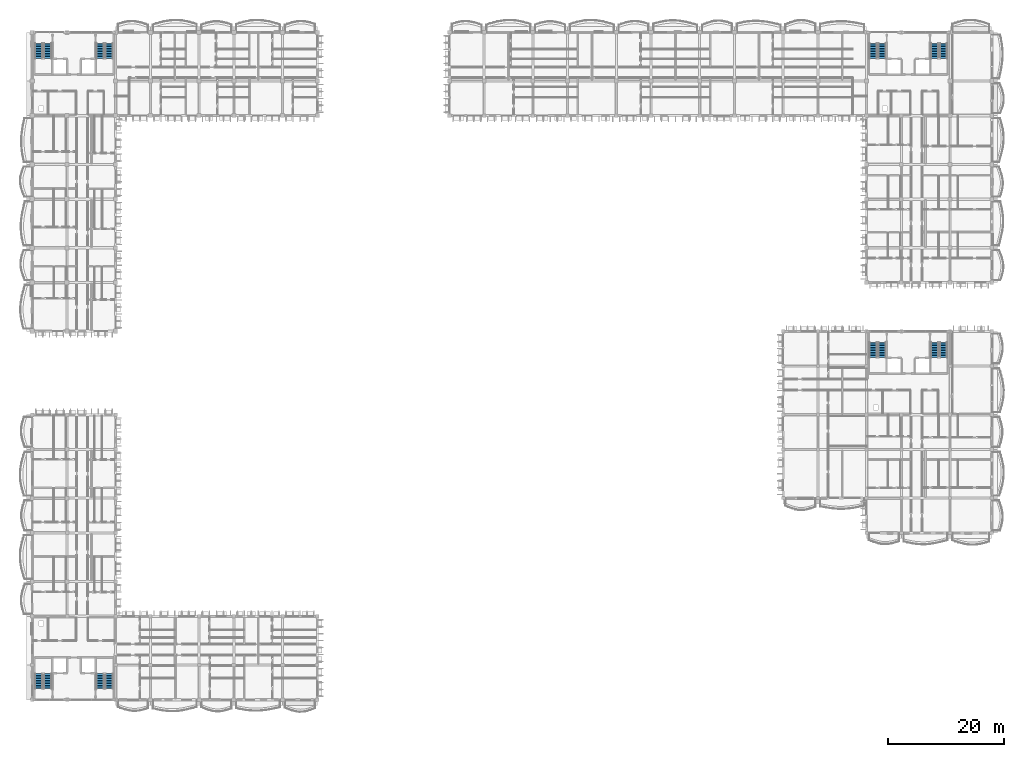
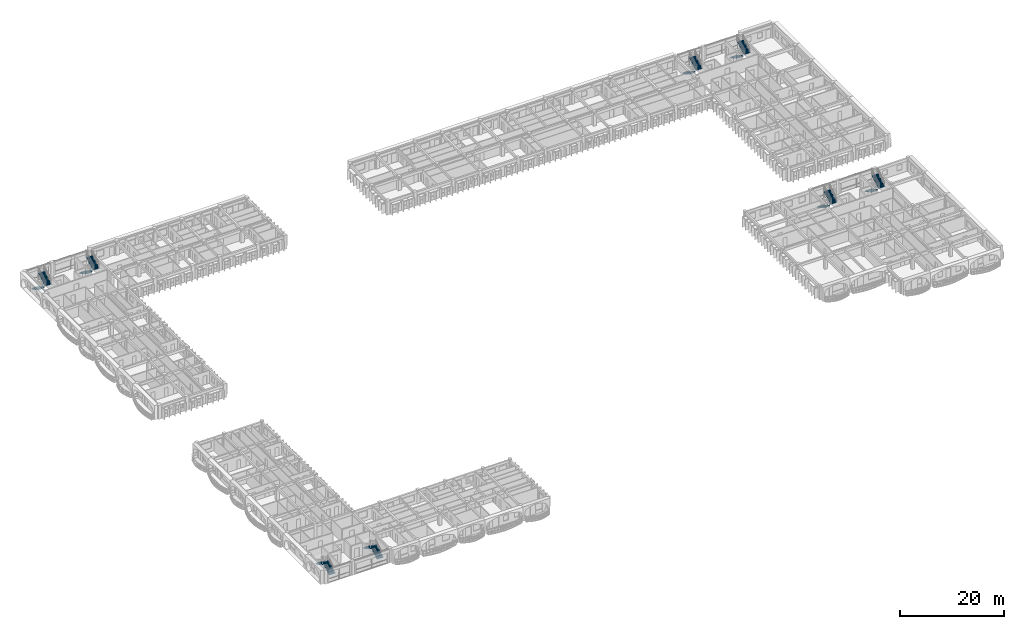
# One storey, part 40 of 70: 16 stair flights, 8 elements without a shape of their own.
"""IFC4 building model written with IfcOpenShell, lengths in metres."""

from ifc_helpers import new_model, si_unit, direction, frame, origin, place, context, subcontext, project, spatial, polyline, outline, extrude, material, type_object, element, aggregate, save


model = new_model("IFC4")

# Units and contexts
model_context = context("Model", 3, precision=1e-05, world=origin(), true_north=direction((0.0, 1.0)))
body_context = subcontext(model_context, "Body", "Model", "MODEL_VIEW")
ifc_project = project(units=[si_unit("LENGTHUNIT", "METRE"), si_unit("AREAUNIT", "SQUARE_METRE"), si_unit("VOLUMEUNIT", "CUBIC_METRE"), si_unit("PLANEANGLEUNIT", "RADIAN"), si_unit("MASSUNIT", "GRAM", prefix="KILO"), si_unit("THERMODYNAMICTEMPERATUREUNIT", "KELVIN")], contexts=[model_context])

# Site, building, storey
site_placement = place(None, origin())
site = spatial("IfcSite", under=ifc_project, at=site_placement, CompositionType="ELEMENT")
building_placement = place(site_placement, origin())
building = spatial("IfcBuilding", under=site, at=building_placement, Name="Thalorik Housing Commons", CompositionType="ELEMENT")
storey_placement = place(building_placement, frame((0.0, 0.0, 14.699951171875)))
storey = spatial("IfcBuildingStorey", under=building, at=storey_placement, Name="L04", CompositionType="ELEMENT", Elevation=14.699951171875)

# Stair, stair flights
ifc_material = material(Name="Precast concrete C40/50", Category="concrete")
stair_type = type_object("IfcStairType", Name="ARC-STR-1350-R20", PredefinedType="HALF_TURN_STAIR", material=ifc_material)
stair_1_placement = place(storey_placement, origin())
stair_1 = element("IfcStair", 1, at=stair_1_placement, inside=storey, type_object=stair_type, Name="L04 Block A Smoke-Proof Stair 1", PredefinedType="HALF_TURN_STAIR")
stair_flight_type = type_object("IfcStairFlightType", Name="ARC-SFLT-1350-R10", PredefinedType="STRAIGHT", material=ifc_material)
stair_flight_1_placement = place(storey_placement, frame((9.52490234375, 121.699951171875, 0.0), z_axis=(0.0, 0.0, 1.0), x_axis=(0.0, -1.0, 0.0)))
stair_flight_1 = element("IfcStairFlight", 2, at=stair_flight_1_placement, type_object=stair_flight_type, Name="ST-A1 flight 1", NumberOfRisers=10, NumberOfTreads=9, PredefinedType="STRAIGHT", RiserHeight=0.165, TreadLength=0.29, context=body_context, shape_type="SweptSolid", body=[
    extrude(outline(polyline([(0.0, 0.0), (0.0, 0.1650390625), (0.2900390625, 0.1650390625), (0.2900390625, 0.330078125), (0.580078125, 0.330078125), (0.580078125, 0.4951171875), (0.8701171875, 0.4951171875), (0.8701171875, 0.659912109375), (1.159912109375, 0.659912109375), (1.159912109375, 0.824951171875), (1.449951171875, 0.824951171875), (1.449951171875, 0.989990234375), (1.739990234375, 0.989990234375), (1.739990234375, 1.155029296875), (2.030029296875, 1.155029296875), (2.030029296875, 1.320068359375), (2.320068359375, 1.320068359375), (2.320068359375, 1.485107421875), (2.610107421875, 1.485107421875), (2.610107421875, 1.64990234375), (2.610107421875, 1.301025390625), (0.323486328125, 0.0), (0.0, 0.0)])), frame((0.0, 0.675048828125, 0.0), z_axis=(0.0, -1.0, 0.0), x_axis=(1.0, 0.0, 0.0)), (0.0, 0.0, 1.0), 1.35009765625),
])
stair_flight_2_placement = place(storey_placement, frame((11.074951171875, 119.090087890625, 1.650146484375), z_axis=(0.0, 0.0, 1.0), x_axis=(0.0, 1.0, 0.0)))
stair_flight_2 = element("IfcStairFlight", 3, at=stair_flight_2_placement, type_object=stair_flight_type, Name="ST-A1 flight 2", NumberOfRisers=10, NumberOfTreads=9, PredefinedType="STRAIGHT", RiserHeight=0.165, TreadLength=0.29, context=body_context, shape_type="SweptSolid", body=[
    extrude(outline(polyline([(0.0, 0.0), (0.0, 0.1650390625), (0.2900390625, 0.1650390625), (0.2900390625, 0.330078125), (0.580078125, 0.330078125), (0.580078125, 0.4951171875), (0.8701171875, 0.4951171875), (0.8701171875, 0.659912109375), (1.159912109375, 0.659912109375), (1.159912109375, 0.824951171875), (1.449951171875, 0.824951171875), (1.449951171875, 0.989990234375), (1.739990234375, 0.989990234375), (1.739990234375, 1.155029296875), (2.030029296875, 1.155029296875), (2.030029296875, 1.320068359375), (2.320068359375, 1.320068359375), (2.320068359375, 1.485107421875), (2.610107421875, 1.485107421875), (2.610107421875, 1.64990234375), (2.610107421875, 1.301025390625), (0.323486328125, 0.0), (0.0, 0.0)])), frame((0.0, 0.675048828125, 0.0), z_axis=(0.0, -1.0, 0.0), x_axis=(1.0, 0.0, 0.0)), (0.0, 0.0, 1.0), 1.35009765625),
])
aggregate(stair_1, [stair_flight_1, stair_flight_2])

stair_2_placement = place(storey_placement, origin())
stair_2 = element("IfcStair", 4, at=stair_2_placement, inside=storey, type_object=stair_type, Name="L04 Block A Smoke-Proof Stair 2", PredefinedType="HALF_TURN_STAIR")
stair_flight_3_placement = place(storey_placement, frame((20.125, 121.699951171875, 0.0), z_axis=(0.0, 0.0, 1.0), x_axis=(0.0, -1.0, 0.0)))
stair_flight_3 = element("IfcStairFlight", 5, at=stair_flight_3_placement, type_object=stair_flight_type, Name="ST-A2 flight 1", NumberOfRisers=10, NumberOfTreads=9, PredefinedType="STRAIGHT", RiserHeight=0.165, TreadLength=0.29, context=body_context, shape_type="SweptSolid", body=[
    extrude(outline(polyline([(0.0, 0.0), (0.0, 0.1650390625), (0.2900390625, 0.1650390625), (0.2900390625, 0.330078125), (0.580078125, 0.330078125), (0.580078125, 0.4951171875), (0.8701171875, 0.4951171875), (0.8701171875, 0.659912109375), (1.159912109375, 0.659912109375), (1.159912109375, 0.824951171875), (1.449951171875, 0.824951171875), (1.449951171875, 0.989990234375), (1.739990234375, 0.989990234375), (1.739990234375, 1.155029296875), (2.030029296875, 1.155029296875), (2.030029296875, 1.320068359375), (2.320068359375, 1.320068359375), (2.320068359375, 1.485107421875), (2.610107421875, 1.485107421875), (2.610107421875, 1.64990234375), (2.610107421875, 1.301025390625), (0.323486328125, 0.0), (0.0, 0.0)])), frame((0.0, 0.675048828125, 0.0), z_axis=(0.0, -1.0, 0.0), x_axis=(1.0, 0.0, 0.0)), (0.0, 0.0, 1.0), 1.35009765625),
])
stair_flight_4_placement = place(storey_placement, frame((21.675048828125, 119.090087890625, 1.650146484375), z_axis=(0.0, 0.0, 1.0), x_axis=(0.0, 1.0, 0.0)))
stair_flight_4 = element("IfcStairFlight", 6, at=stair_flight_4_placement, type_object=stair_flight_type, Name="ST-A2 flight 2", NumberOfRisers=10, NumberOfTreads=9, PredefinedType="STRAIGHT", RiserHeight=0.165, TreadLength=0.29, context=body_context, shape_type="SweptSolid", body=[
    extrude(outline(polyline([(0.0, 0.0), (0.0, 0.1650390625), (0.2900390625, 0.1650390625), (0.2900390625, 0.330078125), (0.580078125, 0.330078125), (0.580078125, 0.4951171875), (0.8701171875, 0.4951171875), (0.8701171875, 0.659912109375), (1.159912109375, 0.659912109375), (1.159912109375, 0.824951171875), (1.449951171875, 0.824951171875), (1.449951171875, 0.989990234375), (1.739990234375, 0.989990234375), (1.739990234375, 1.155029296875), (2.030029296875, 1.155029296875), (2.030029296875, 1.320068359375), (2.320068359375, 1.320068359375), (2.320068359375, 1.485107421875), (2.610107421875, 1.485107421875), (2.610107421875, 1.64990234375), (2.610107421875, 1.301025390625), (0.323486328125, 0.0), (0.0, 0.0)])), frame((0.0, 0.675048828125, 0.0), z_axis=(0.0, -1.0, 0.0), x_axis=(1.0, 0.0, 0.0)), (0.0, 0.0, 1.0), 1.35009765625),
])
aggregate(stair_2, [stair_flight_3, stair_flight_4])

stair_3_placement = place(storey_placement, origin())
stair_3 = element("IfcStair", 7, at=stair_3_placement, inside=storey, type_object=stair_type, Name="L04 Block B Smoke-Proof Stair 1", PredefinedType="HALF_TURN_STAIR")
stair_flight_5_placement = place(storey_placement, frame((153.52490234375, 121.699951171875, 0.0), z_axis=(0.0, 0.0, 1.0), x_axis=(0.0, -1.0, 0.0)))
stair_flight_5 = element("IfcStairFlight", 8, at=stair_flight_5_placement, type_object=stair_flight_type, Name="ST-B1 flight 1", NumberOfRisers=10, NumberOfTreads=9, PredefinedType="STRAIGHT", RiserHeight=0.165, TreadLength=0.29, context=body_context, shape_type="SweptSolid", body=[
    extrude(outline(polyline([(0.0, 0.0), (0.0, 0.1650390625), (0.2900390625, 0.1650390625), (0.2900390625, 0.330078125), (0.580078125, 0.330078125), (0.580078125, 0.4951171875), (0.8701171875, 0.4951171875), (0.8701171875, 0.659912109375), (1.159912109375, 0.659912109375), (1.159912109375, 0.824951171875), (1.449951171875, 0.824951171875), (1.449951171875, 0.989990234375), (1.739990234375, 0.989990234375), (1.739990234375, 1.155029296875), (2.030029296875, 1.155029296875), (2.030029296875, 1.320068359375), (2.320068359375, 1.320068359375), (2.320068359375, 1.485107421875), (2.610107421875, 1.485107421875), (2.610107421875, 1.64990234375), (2.610107421875, 1.301025390625), (0.323486328125, 0.0), (0.0, 0.0)])), frame((0.0, 0.675048828125, 0.0), z_axis=(0.0, -1.0, 0.0), x_axis=(1.0, 0.0, 0.0)), (0.0, 0.0, 1.0), 1.35009765625),
])
stair_flight_6_placement = place(storey_placement, frame((155.074951171875, 119.090087890625, 1.650146484375), z_axis=(0.0, 0.0, 1.0), x_axis=(0.0, 1.0, 0.0)))
stair_flight_6 = element("IfcStairFlight", 9, at=stair_flight_6_placement, type_object=stair_flight_type, Name="ST-B1 flight 2", NumberOfRisers=10, NumberOfTreads=9, PredefinedType="STRAIGHT", RiserHeight=0.165, TreadLength=0.29, context=body_context, shape_type="SweptSolid", body=[
    extrude(outline(polyline([(0.0, 0.0), (0.0, 0.1650390625), (0.2900390625, 0.1650390625), (0.2900390625, 0.330078125), (0.580078125, 0.330078125), (0.580078125, 0.4951171875), (0.8701171875, 0.4951171875), (0.8701171875, 0.659912109375), (1.159912109375, 0.659912109375), (1.159912109375, 0.824951171875), (1.449951171875, 0.824951171875), (1.449951171875, 0.989990234375), (1.739990234375, 0.989990234375), (1.739990234375, 1.155029296875), (2.030029296875, 1.155029296875), (2.030029296875, 1.320068359375), (2.320068359375, 1.320068359375), (2.320068359375, 1.485107421875), (2.610107421875, 1.485107421875), (2.610107421875, 1.64990234375), (2.610107421875, 1.301025390625), (0.323486328125, 0.0), (0.0, 0.0)])), frame((0.0, 0.675048828125, 0.0), z_axis=(0.0, -1.0, 0.0), x_axis=(1.0, 0.0, 0.0)), (0.0, 0.0, 1.0), 1.35009765625),
])
aggregate(stair_3, [stair_flight_5, stair_flight_6])

stair_4_placement = place(storey_placement, origin())
stair_4 = element("IfcStair", 10, at=stair_4_placement, inside=storey, type_object=stair_type, Name="L04 Block B Smoke-Proof Stair 2", PredefinedType="HALF_TURN_STAIR")
stair_flight_7_placement = place(storey_placement, frame((164.125, 121.699951171875, 0.0), z_axis=(0.0, 0.0, 1.0), x_axis=(0.0, -1.0, 0.0)))
stair_flight_7 = element("IfcStairFlight", 11, at=stair_flight_7_placement, type_object=stair_flight_type, Name="ST-B2 flight 1", NumberOfRisers=10, NumberOfTreads=9, PredefinedType="STRAIGHT", RiserHeight=0.165, TreadLength=0.29, context=body_context, shape_type="SweptSolid", body=[
    extrude(outline(polyline([(0.0, 0.0), (0.0, 0.1650390625), (0.2900390625, 0.1650390625), (0.2900390625, 0.330078125), (0.580078125, 0.330078125), (0.580078125, 0.4951171875), (0.8701171875, 0.4951171875), (0.8701171875, 0.659912109375), (1.159912109375, 0.659912109375), (1.159912109375, 0.824951171875), (1.449951171875, 0.824951171875), (1.449951171875, 0.989990234375), (1.739990234375, 0.989990234375), (1.739990234375, 1.155029296875), (2.030029296875, 1.155029296875), (2.030029296875, 1.320068359375), (2.320068359375, 1.320068359375), (2.320068359375, 1.485107421875), (2.610107421875, 1.485107421875), (2.610107421875, 1.64990234375), (2.610107421875, 1.301025390625), (0.323486328125, 0.0), (0.0, 0.0)])), frame((0.0, 0.675048828125, 0.0), z_axis=(0.0, -1.0, 0.0), x_axis=(1.0, 0.0, 0.0)), (0.0, 0.0, 1.0), 1.35009765625),
])
stair_flight_8_placement = place(storey_placement, frame((165.675048828125, 119.090087890625, 1.650146484375), z_axis=(0.0, 0.0, 1.0), x_axis=(0.0, 1.0, 0.0)))
stair_flight_8 = element("IfcStairFlight", 12, at=stair_flight_8_placement, type_object=stair_flight_type, Name="ST-B2 flight 2", NumberOfRisers=10, NumberOfTreads=9, PredefinedType="STRAIGHT", RiserHeight=0.165, TreadLength=0.29, context=body_context, shape_type="SweptSolid", body=[
    extrude(outline(polyline([(0.0, 0.0), (0.0, 0.1650390625), (0.2900390625, 0.1650390625), (0.2900390625, 0.330078125), (0.580078125, 0.330078125), (0.580078125, 0.4951171875), (0.8701171875, 0.4951171875), (0.8701171875, 0.659912109375), (1.159912109375, 0.659912109375), (1.159912109375, 0.824951171875), (1.449951171875, 0.824951171875), (1.449951171875, 0.989990234375), (1.739990234375, 0.989990234375), (1.739990234375, 1.155029296875), (2.030029296875, 1.155029296875), (2.030029296875, 1.320068359375), (2.320068359375, 1.320068359375), (2.320068359375, 1.485107421875), (2.610107421875, 1.485107421875), (2.610107421875, 1.64990234375), (2.610107421875, 1.301025390625), (0.323486328125, 0.0), (0.0, 0.0)])), frame((0.0, 0.675048828125, 0.0), z_axis=(0.0, -1.0, 0.0), x_axis=(1.0, 0.0, 0.0)), (0.0, 0.0, 1.0), 1.35009765625),
])
aggregate(stair_4, [stair_flight_7, stair_flight_8])

stair_5_placement = place(storey_placement, origin())
stair_5 = element("IfcStair", 13, at=stair_5_placement, inside=storey, type_object=stair_type, Name="L04 Block C Smoke-Proof Stair 1", PredefinedType="HALF_TURN_STAIR")
stair_flight_9_placement = place(storey_placement, frame((11.074951171875, 10.300048828125, 0.0), z_axis=(0.0, 0.0, 1.0), x_axis=(0.0, 1.0, 0.0)))
stair_flight_9 = element("IfcStairFlight", 14, at=stair_flight_9_placement, type_object=stair_flight_type, Name="ST-C1 flight 1", NumberOfRisers=10, NumberOfTreads=9, PredefinedType="STRAIGHT", RiserHeight=0.165, TreadLength=0.29, context=body_context, shape_type="SweptSolid", body=[
    extrude(outline(polyline([(0.0, 0.0), (0.0, 0.1650390625), (0.2900390625, 0.1650390625), (0.2900390625, 0.330078125), (0.580078125, 0.330078125), (0.580078125, 0.4951171875), (0.8701171875, 0.4951171875), (0.8701171875, 0.659912109375), (1.159912109375, 0.659912109375), (1.159912109375, 0.824951171875), (1.449951171875, 0.824951171875), (1.449951171875, 0.989990234375), (1.739990234375, 0.989990234375), (1.739990234375, 1.155029296875), (2.030029296875, 1.155029296875), (2.030029296875, 1.320068359375), (2.320068359375, 1.320068359375), (2.320068359375, 1.485107421875), (2.610107421875, 1.485107421875), (2.610107421875, 1.64990234375), (2.610107421875, 1.301025390625), (0.323486328125, 0.0), (0.0, 0.0)])), frame((0.0, 0.675048828125, 0.0), z_axis=(0.0, -1.0, 0.0), x_axis=(1.0, 0.0, 0.0)), (0.0, 0.0, 1.0), 1.35009765625),
])
stair_flight_10_placement = place(storey_placement, frame((9.52490234375, 12.909912109375, 1.650146484375), z_axis=(0.0, 0.0, 1.0), x_axis=(0.0, -1.0, 0.0)))
stair_flight_10 = element("IfcStairFlight", 15, at=stair_flight_10_placement, type_object=stair_flight_type, Name="ST-C1 flight 2", NumberOfRisers=10, NumberOfTreads=9, PredefinedType="STRAIGHT", RiserHeight=0.165, TreadLength=0.29, context=body_context, shape_type="SweptSolid", body=[
    extrude(outline(polyline([(0.0, 0.0), (0.0, 0.1650390625), (0.2900390625, 0.1650390625), (0.2900390625, 0.330078125), (0.580078125, 0.330078125), (0.580078125, 0.4951171875), (0.8701171875, 0.4951171875), (0.8701171875, 0.659912109375), (1.159912109375, 0.659912109375), (1.159912109375, 0.824951171875), (1.449951171875, 0.824951171875), (1.449951171875, 0.989990234375), (1.739990234375, 0.989990234375), (1.739990234375, 1.155029296875), (2.030029296875, 1.155029296875), (2.030029296875, 1.320068359375), (2.320068359375, 1.320068359375), (2.320068359375, 1.485107421875), (2.610107421875, 1.485107421875), (2.610107421875, 1.64990234375), (2.610107421875, 1.301025390625), (0.323486328125, 0.0), (0.0, 0.0)])), frame((0.0, 0.675048828125, 0.0), z_axis=(0.0, -1.0, 0.0), x_axis=(1.0, 0.0, 0.0)), (0.0, 0.0, 1.0), 1.35009765625),
])
aggregate(stair_5, [stair_flight_9, stair_flight_10])

stair_6_placement = place(storey_placement, origin())
stair_6 = element("IfcStair", 16, at=stair_6_placement, inside=storey, type_object=stair_type, Name="L04 Block C Smoke-Proof Stair 2", PredefinedType="HALF_TURN_STAIR")
stair_flight_11_placement = place(storey_placement, frame((21.675048828125, 10.300048828125, 0.0), z_axis=(0.0, 0.0, 1.0), x_axis=(0.0, 1.0, 0.0)))
stair_flight_11 = element("IfcStairFlight", 17, at=stair_flight_11_placement, type_object=stair_flight_type, Name="ST-C2 flight 1", NumberOfRisers=10, NumberOfTreads=9, PredefinedType="STRAIGHT", RiserHeight=0.165, TreadLength=0.29, context=body_context, shape_type="SweptSolid", body=[
    extrude(outline(polyline([(0.0, 0.0), (0.0, 0.1650390625), (0.2900390625, 0.1650390625), (0.2900390625, 0.330078125), (0.580078125, 0.330078125), (0.580078125, 0.4951171875), (0.8701171875, 0.4951171875), (0.8701171875, 0.659912109375), (1.159912109375, 0.659912109375), (1.159912109375, 0.824951171875), (1.449951171875, 0.824951171875), (1.449951171875, 0.989990234375), (1.739990234375, 0.989990234375), (1.739990234375, 1.155029296875), (2.030029296875, 1.155029296875), (2.030029296875, 1.320068359375), (2.320068359375, 1.320068359375), (2.320068359375, 1.485107421875), (2.610107421875, 1.485107421875), (2.610107421875, 1.64990234375), (2.610107421875, 1.301025390625), (0.323486328125, 0.0), (0.0, 0.0)])), frame((0.0, 0.675048828125, 0.0), z_axis=(0.0, -1.0, 0.0), x_axis=(1.0, 0.0, 0.0)), (0.0, 0.0, 1.0), 1.35009765625),
])
stair_flight_12_placement = place(storey_placement, frame((20.125, 12.909912109375, 1.650146484375), z_axis=(0.0, 0.0, 1.0), x_axis=(0.0, -1.0, 0.0)))
stair_flight_12 = element("IfcStairFlight", 18, at=stair_flight_12_placement, type_object=stair_flight_type, Name="ST-C2 flight 2", NumberOfRisers=10, NumberOfTreads=9, PredefinedType="STRAIGHT", RiserHeight=0.165, TreadLength=0.29, context=body_context, shape_type="SweptSolid", body=[
    extrude(outline(polyline([(0.0, 0.0), (0.0, 0.1650390625), (0.2900390625, 0.1650390625), (0.2900390625, 0.330078125), (0.580078125, 0.330078125), (0.580078125, 0.4951171875), (0.8701171875, 0.4951171875), (0.8701171875, 0.659912109375), (1.159912109375, 0.659912109375), (1.159912109375, 0.824951171875), (1.449951171875, 0.824951171875), (1.449951171875, 0.989990234375), (1.739990234375, 0.989990234375), (1.739990234375, 1.155029296875), (2.030029296875, 1.155029296875), (2.030029296875, 1.320068359375), (2.320068359375, 1.320068359375), (2.320068359375, 1.485107421875), (2.610107421875, 1.485107421875), (2.610107421875, 1.64990234375), (2.610107421875, 1.301025390625), (0.323486328125, 0.0), (0.0, 0.0)])), frame((0.0, 0.675048828125, 0.0), z_axis=(0.0, -1.0, 0.0), x_axis=(1.0, 0.0, 0.0)), (0.0, 0.0, 1.0), 1.35009765625),
])
aggregate(stair_6, [stair_flight_11, stair_flight_12])

stair_7_placement = place(storey_placement, origin())
stair_7 = element("IfcStair", 19, at=stair_7_placement, inside=storey, type_object=stair_type, Name="L04 Block D Smoke-Proof Stair 1", PredefinedType="HALF_TURN_STAIR")
stair_flight_13_placement = place(storey_placement, frame((153.52490234375, 70.10009765625, 0.0), z_axis=(0.0, 0.0, 1.0), x_axis=(0.0, -1.0, 0.0)))
stair_flight_13 = element("IfcStairFlight", 20, at=stair_flight_13_placement, type_object=stair_flight_type, Name="ST-D1 flight 1", NumberOfRisers=10, NumberOfTreads=9, PredefinedType="STRAIGHT", RiserHeight=0.165, TreadLength=0.29, context=body_context, shape_type="SweptSolid", body=[
    extrude(outline(polyline([(0.0, 0.0), (0.0, 0.1650390625), (0.2900390625, 0.1650390625), (0.2900390625, 0.330078125), (0.580078125, 0.330078125), (0.580078125, 0.4951171875), (0.8701171875, 0.4951171875), (0.8701171875, 0.659912109375), (1.159912109375, 0.659912109375), (1.159912109375, 0.824951171875), (1.449951171875, 0.824951171875), (1.449951171875, 0.989990234375), (1.739990234375, 0.989990234375), (1.739990234375, 1.155029296875), (2.030029296875, 1.155029296875), (2.030029296875, 1.320068359375), (2.320068359375, 1.320068359375), (2.320068359375, 1.485107421875), (2.610107421875, 1.485107421875), (2.610107421875, 1.64990234375), (2.610107421875, 1.301025390625), (0.323486328125, 0.0), (0.0, 0.0)])), frame((0.0, 0.675048828125, 0.0), z_axis=(0.0, -1.0, 0.0), x_axis=(1.0, 0.0, 0.0)), (0.0, 0.0, 1.0), 1.35009765625),
])
stair_flight_14_placement = place(storey_placement, frame((155.074951171875, 67.489990234375, 1.650146484375), z_axis=(0.0, 0.0, 1.0), x_axis=(0.0, 1.0, 0.0)))
stair_flight_14 = element("IfcStairFlight", 21, at=stair_flight_14_placement, type_object=stair_flight_type, Name="ST-D1 flight 2", NumberOfRisers=10, NumberOfTreads=9, PredefinedType="STRAIGHT", RiserHeight=0.165, TreadLength=0.29, context=body_context, shape_type="SweptSolid", body=[
    extrude(outline(polyline([(0.0, 0.0), (0.0, 0.1650390625), (0.2900390625, 0.1650390625), (0.2900390625, 0.330078125), (0.580078125, 0.330078125), (0.580078125, 0.4951171875), (0.8701171875, 0.4951171875), (0.8701171875, 0.659912109375), (1.159912109375, 0.659912109375), (1.159912109375, 0.824951171875), (1.449951171875, 0.824951171875), (1.449951171875, 0.989990234375), (1.739990234375, 0.989990234375), (1.739990234375, 1.155029296875), (2.030029296875, 1.155029296875), (2.030029296875, 1.320068359375), (2.320068359375, 1.320068359375), (2.320068359375, 1.485107421875), (2.610107421875, 1.485107421875), (2.610107421875, 1.64990234375), (2.610107421875, 1.301025390625), (0.323486328125, 0.0), (0.0, 0.0)])), frame((0.0, 0.675048828125, 0.0), z_axis=(0.0, -1.0, 0.0), x_axis=(1.0, 0.0, 0.0)), (0.0, 0.0, 1.0), 1.35009765625),
])
aggregate(stair_7, [stair_flight_13, stair_flight_14])

stair_8_placement = place(storey_placement, origin())
stair_8 = element("IfcStair", 22, at=stair_8_placement, inside=storey, type_object=stair_type, Name="L04 Block D Smoke-Proof Stair 2", PredefinedType="HALF_TURN_STAIR")
stair_flight_15_placement = place(storey_placement, frame((164.125, 70.10009765625, 0.0), z_axis=(0.0, 0.0, 1.0), x_axis=(0.0, -1.0, 0.0)))
stair_flight_15 = element("IfcStairFlight", 23, at=stair_flight_15_placement, type_object=stair_flight_type, Name="ST-D2 flight 1", NumberOfRisers=10, NumberOfTreads=9, PredefinedType="STRAIGHT", RiserHeight=0.165, TreadLength=0.29, context=body_context, shape_type="SweptSolid", body=[
    extrude(outline(polyline([(0.0, 0.0), (0.0, 0.1650390625), (0.2900390625, 0.1650390625), (0.2900390625, 0.330078125), (0.580078125, 0.330078125), (0.580078125, 0.4951171875), (0.8701171875, 0.4951171875), (0.8701171875, 0.659912109375), (1.159912109375, 0.659912109375), (1.159912109375, 0.824951171875), (1.449951171875, 0.824951171875), (1.449951171875, 0.989990234375), (1.739990234375, 0.989990234375), (1.739990234375, 1.155029296875), (2.030029296875, 1.155029296875), (2.030029296875, 1.320068359375), (2.320068359375, 1.320068359375), (2.320068359375, 1.485107421875), (2.610107421875, 1.485107421875), (2.610107421875, 1.64990234375), (2.610107421875, 1.301025390625), (0.323486328125, 0.0), (0.0, 0.0)])), frame((0.0, 0.675048828125, 0.0), z_axis=(0.0, -1.0, 0.0), x_axis=(1.0, 0.0, 0.0)), (0.0, 0.0, 1.0), 1.35009765625),
])
stair_flight_16_placement = place(storey_placement, frame((165.675048828125, 67.489990234375, 1.650146484375), z_axis=(0.0, 0.0, 1.0), x_axis=(0.0, 1.0, 0.0)))
stair_flight_16 = element("IfcStairFlight", 24, at=stair_flight_16_placement, type_object=stair_flight_type, Name="ST-D2 flight 2", NumberOfRisers=10, NumberOfTreads=9, PredefinedType="STRAIGHT", RiserHeight=0.165, TreadLength=0.29, context=body_context, shape_type="SweptSolid", body=[
    extrude(outline(polyline([(0.0, 0.0), (0.0, 0.1650390625), (0.2900390625, 0.1650390625), (0.2900390625, 0.330078125), (0.580078125, 0.330078125), (0.580078125, 0.4951171875), (0.8701171875, 0.4951171875), (0.8701171875, 0.659912109375), (1.159912109375, 0.659912109375), (1.159912109375, 0.824951171875), (1.449951171875, 0.824951171875), (1.449951171875, 0.989990234375), (1.739990234375, 0.989990234375), (1.739990234375, 1.155029296875), (2.030029296875, 1.155029296875), (2.030029296875, 1.320068359375), (2.320068359375, 1.320068359375), (2.320068359375, 1.485107421875), (2.610107421875, 1.485107421875), (2.610107421875, 1.64990234375), (2.610107421875, 1.301025390625), (0.323486328125, 0.0), (0.0, 0.0)])), frame((0.0, 0.675048828125, 0.0), z_axis=(0.0, -1.0, 0.0), x_axis=(1.0, 0.0, 0.0)), (0.0, 0.0, 1.0), 1.35009765625),
])
aggregate(stair_8, [stair_flight_15, stair_flight_16])

save(model, "model.ifc")
